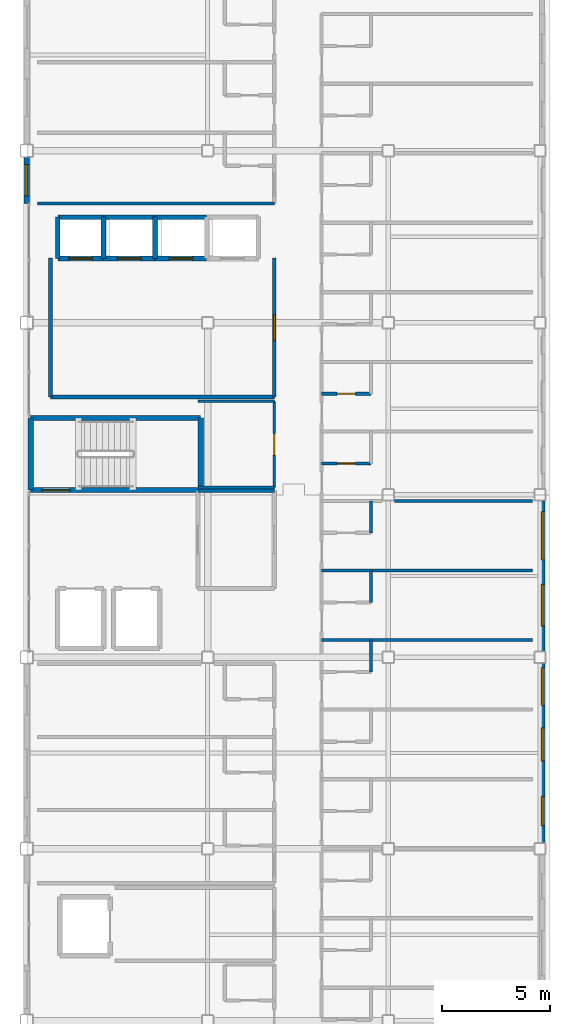
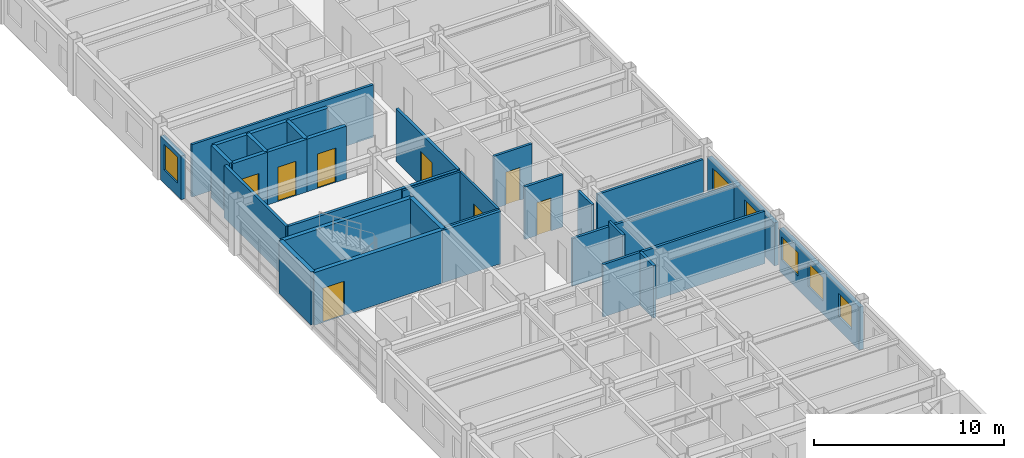
# One storey, part 28 of 36: 32 walls, 8 doors, 6 windows, 14 openings.
"""IFC4 building model written with IfcOpenShell, lengths in metres."""

from ifc_helpers import new_model, si_unit, direction, frame, frame_2d, origin, place, context, subcontext, project, spatial, rectangle, extrude, material, layer, layer_set, type_object, element, fill, save


model = new_model("IFC4")

# Units and contexts
model_context = context("Model", 3, precision=1e-05, world=origin(), true_north=direction((0.0, 1.0)))
body_context = subcontext(model_context, "Body", "Model", "MODEL_VIEW")
ifc_project = project(units=[si_unit("LENGTHUNIT", "METRE"), si_unit("AREAUNIT", "SQUARE_METRE"), si_unit("VOLUMEUNIT", "CUBIC_METRE"), si_unit("PLANEANGLEUNIT", "RADIAN"), si_unit("MASSUNIT", "GRAM", prefix="KILO")], contexts=[model_context])

# Site, building, storey
site_placement = place(None, origin())
site = spatial("IfcSite", under=ifc_project, at=site_placement, CompositionType="ELEMENT")
building_placement = place(site_placement, origin())
building = spatial("IfcBuilding", under=site, at=building_placement, Name="Kazehara Bluff Congress Hotel", CompositionType="ELEMENT")
storey_placement = place(building_placement, frame((0.0, 0.0, 28.199951171875)))
storey = spatial("IfcBuildingStorey", under=building, at=storey_placement, Name="L06", CompositionType="ELEMENT", Elevation=28.199951171875)

# Walls
ifc_material_1 = material(Name="Concrete C40/50", Category="concrete")
ifc_layer_1 = layer(ifc_material_1, 0.25)
ifc_layer_set_1 = layer_set([ifc_layer_1], Name="Concrete C40/50")
wall_type_1 = type_object("IfcWallType", Name="TP-CW-RC", PredefinedType="SHEAR", material=ifc_layer_set_1)
for number, where, z_axis, x_axis, name in (
    (1, (143.875, 48.675048828125, 0.0), (0.0, 0.0, 1.0), (0.0, 1.0, 0.0), "L06 ST-11 core wall near"),
    (2, (151.77490234375, 52.02490234375, 0.0), (0.0, 0.0, 1.0), (0.0, -1.0, 0.0), "L06 ST-11 core wall far"),
):
    element("IfcWall", number, at=place(storey_placement, frame(where, z_axis=z_axis, x_axis=x_axis)), inside=storey, type_object=wall_type_1, Name=name, PredefinedType="SHEAR", context=body_context, shape_type="SweptSolid", body=[
        extrude(rectangle(XDim=3.349853515625, YDim=0.25, at=frame_2d((1.6748046875, 0.0))), origin(), (0.0, 0.0, 1.0), 3.380126953125),
    ])

# Wall, opening, door
wall_1_placement = place(storey_placement, frame((151.77490234375, 48.675048828125, 0.0), z_axis=(0.0, 0.0, 1.0), x_axis=(-1.0, 0.0, 0.0)))
wall_1 = element("IfcWall", 3, at=wall_1_placement, inside=storey, type_object=wall_type_1, Name="L06 ST-11 core wall left", PredefinedType="SHEAR", context=body_context, shape_type="SweptSolid", body=[
    extrude(rectangle(XDim=7.89990234375, YDim=0.25, at=frame_2d((3.949951171875, 0.0))), origin(), (0.0, 0.0, 1.0), 3.380126953125),
])
opening_1_placement = place(wall_1_placement, frame((6.074951171875, 0.0, 0.0)))
opening_1 = element("IfcOpeningElement", 4, at=opening_1_placement, cuts=wall_1, Name="Opening FD-01", PredefinedType="OPENING", context=body_context, shape_type="SweptSolid", body=[
    extrude(rectangle(XDim=1.300048828125, YDim=2.199951171875, at=frame_2d((0.64990234375, 1.10009765625))), frame((0.0, 0.135009765625, 0.0), z_axis=(0.0, -1.0, 0.0), x_axis=(1.0, 0.0, 0.0)), (0.0, 0.0, 1.0), 0.27001953125),
])
ifc_material_2 = material(Name="Fire-rated painted steel leaf", Category="steel")
door_type_1 = type_object("IfcDoorType", Name="TP-FD-01", OperationType="NOTDEFINED", PredefinedType="DOOR", material=ifc_material_2)
door_1_placement = place(opening_1_placement, origin())
door_1 = element("IfcDoor", 5, at=door_1_placement, inside=storey, type_object=door_type_1, Name="L06 ST-11 fire stair door", OperationType="SINGLE_SWING_LEFT", OverallHeight=2.199951171875, OverallWidth=1.300048828125, PredefinedType="DOOR", context=body_context, shape_type="SweptSolid", body=[
    extrude(rectangle(XDim=1.300048828125, YDim=2.199951171875, at=frame_2d((0.64990234375, 1.10009765625))), frame((0.0, 0.02490234375, 0.0), z_axis=(0.0, -1.0, 0.0), x_axis=(1.0, 0.0, 0.0)), (0.0, 0.0, 1.0), 0.050048828125),
])
fill(opening_1, door_1)

# Wall
wall_2_placement = place(storey_placement, frame((143.875, 52.02490234375, 0.0), z_axis=(0.0, 0.0, 1.0), x_axis=(1.0, 0.0, 0.0)))
element("IfcWall", 6, at=wall_2_placement, inside=storey, type_object=wall_type_1, Name="L06 ST-11 core wall right", PredefinedType="SHEAR", context=body_context, shape_type="SweptSolid", body=[
    extrude(rectangle(XDim=7.89990234375, YDim=0.25, at=frame_2d((3.949951171875, 0.0))), origin(), (0.0, 0.0, 1.0), 3.380126953125),
])

# Wall, openings, windows
ifc_material_3 = material(Name="Precast concrete C40/50", Category="concrete")
ifc_layer_2 = layer(ifc_material_3, 0.260009765625)
ifc_layer_set_2 = layer_set([ifc_layer_2], Name="Precast concrete C40/50")
wall_type_2 = type_object("IfcWallType", Name="TP-EW-260", PredefinedType="SOLIDWALL", material=ifc_layer_set_2)
wall_3_placement = place(storey_placement, frame((167.64990234375, 40.625, 0.0), z_axis=(0.0, 0.0, 1.0), x_axis=(0.0, -1.0, 0.0)))
wall_3 = element("IfcWall", 7, at=wall_3_placement, inside=storey, type_object=wall_type_2, Name="L06 hotel facade panel 70", PredefinedType="SOLIDWALL", context=body_context, shape_type="SweptSolid", body=[
    extrude(rectangle(XDim=8.35009765625, YDim=0.260009765625, at=frame_2d((4.175048828125, 0.0))), origin(), (0.0, 0.0, 1.0), 2.755126953125),
])
opening_2_placement = place(wall_3_placement, frame((6.195068359375, 0.0, 0.85009765625)))
opening_2 = element("IfcOpeningElement", 8, at=opening_2_placement, cuts=wall_3, Name="Opening WN-12", PredefinedType="OPENING", context=body_context, shape_type="SweptSolid", body=[
    extrude(rectangle(XDim=1.35009765625, YDim=1.5, at=frame_2d((0.675048828125, 0.75))), frame((0.0, 0.139892578125, 0.0), z_axis=(0.0, -1.0, 0.0), x_axis=(1.0, 0.0, 0.0)), (0.0, 0.0, 1.0), 0.280029296875),
])
opening_3_placement = place(wall_3_placement, frame((3.0, 0.0, 0.85009765625)))
opening_3 = element("IfcOpeningElement", 9, at=opening_3_placement, cuts=wall_3, Name="Opening WN-22", PredefinedType="OPENING", context=body_context, shape_type="SweptSolid", body=[
    extrude(rectangle(XDim=1.550048828125, YDim=1.5, at=frame_2d((0.77490234375, 0.75))), frame((0.0, 0.139892578125, 0.0), z_axis=(0.0, -1.0, 0.0), x_axis=(1.0, 0.0, 0.0)), (0.0, 0.0, 1.0), 0.280029296875),
])
opening_4_placement = place(wall_3_placement, frame((0.205078125, 0.0, 0.85009765625)))
opening_4 = element("IfcOpeningElement", 10, at=opening_4_placement, cuts=wall_3, Name="Opening WN-32", PredefinedType="OPENING", context=body_context, shape_type="SweptSolid", body=[
    extrude(rectangle(XDim=1.75, YDim=1.5, at=frame_2d((0.875, 0.75))), frame((0.0, 0.139892578125, 0.0), z_axis=(0.0, -1.0, 0.0), x_axis=(1.0, 0.0, 0.0)), (0.0, 0.0, 1.0), 0.280029296875),
])
ifc_material_4 = material(Name="Insulated low-E double glazing", Category="glass")
window_type_1 = type_object("IfcWindowType", Name="TP-WN-12", PartitioningType="SINGLE_PANEL", PredefinedType="WINDOW", material=ifc_material_4)
window_1_placement = place(opening_2_placement, origin())
window_1 = element("IfcWindow", 11, at=window_1_placement, inside=storey, type_object=window_type_1, Name="L06 guestroom window WN-12 127", OverallHeight=1.5, OverallWidth=1.35009765625, PartitioningType="SINGLE_PANEL", PredefinedType="WINDOW", context=body_context, shape_type="SweptSolid", body=[
    extrude(rectangle(XDim=1.35009765625, YDim=1.5, at=frame_2d((0.675048828125, 0.75))), frame((0.0, 0.030029296875, 0.0), z_axis=(0.0, -1.0, 0.0), x_axis=(1.0, 0.0, 0.0)), (0.0, 0.0, 1.0), 0.06005859375),
])
fill(opening_2, window_1)
ifc_material_5 = material(Name="Insulated low-E double glazing", Category="glass")
window_type_2 = type_object("IfcWindowType", Name="TP-WN-22", PartitioningType="SINGLE_PANEL", PredefinedType="WINDOW", material=ifc_material_5)
window_2_placement = place(opening_3_placement, origin())
window_2 = element("IfcWindow", 12, at=window_2_placement, inside=storey, type_object=window_type_2, Name="L06 guestroom window WN-22 128", OverallHeight=1.5, OverallWidth=1.550048828125, PartitioningType="SINGLE_PANEL", PredefinedType="WINDOW", context=body_context, shape_type="SweptSolid", body=[
    extrude(rectangle(XDim=1.550048828125, YDim=1.5, at=frame_2d((0.77490234375, 0.75))), frame((0.0, 0.030029296875, 0.0), z_axis=(0.0, -1.0, 0.0), x_axis=(1.0, 0.0, 0.0)), (0.0, 0.0, 1.0), 0.06005859375),
])
fill(opening_3, window_2)
ifc_material_6 = material(Name="Insulated low-E double glazing", Category="glass")
window_type_3 = type_object("IfcWindowType", Name="TP-WN-32", PartitioningType="SINGLE_PANEL", PredefinedType="WINDOW", material=ifc_material_6)
window_3_placement = place(opening_4_placement, origin())
window_3 = element("IfcWindow", 13, at=window_3_placement, inside=storey, type_object=window_type_3, Name="L06 guestroom window WN-32 129", OverallHeight=1.5, OverallWidth=1.75, PartitioningType="SINGLE_PANEL", PredefinedType="WINDOW", context=body_context, shape_type="SweptSolid", body=[
    extrude(rectangle(XDim=1.75, YDim=1.5, at=frame_2d((0.875, 0.75))), frame((0.0, 0.030029296875, 0.0), z_axis=(0.0, -1.0, 0.0), x_axis=(1.0, 0.0, 0.0)), (0.0, 0.0, 1.0), 0.06005859375),
])
fill(opening_4, window_3)

wall_4_placement = place(storey_placement, frame((167.64990234375, 48.175048828125, 0.0), z_axis=(0.0, 0.0, 1.0), x_axis=(0.0, -1.0, 0.0)))
wall_4 = element("IfcWall", 14, at=wall_4_placement, inside=storey, type_object=wall_type_2, Name="L06 hotel facade panel 71", PredefinedType="SOLIDWALL", context=body_context, shape_type="SweptSolid", body=[
    extrude(rectangle(XDim=7.0, YDim=0.260009765625, at=frame_2d((3.5, 0.0))), origin(), (0.0, 0.0, 1.0), 2.755126953125),
])
opening_5_placement = place(wall_4_placement, frame((3.8798828125, 0.0, 0.85009765625)))
opening_5 = element("IfcOpeningElement", 15, at=opening_5_placement, cuts=wall_4, Name="Opening WN-42", PredefinedType="OPENING", context=body_context, shape_type="SweptSolid", body=[
    extrude(rectangle(XDim=1.949951171875, YDim=1.5, at=frame_2d((0.97509765625, 0.75))), frame((0.0, 0.139892578125, 0.0), z_axis=(0.0, -1.0, 0.0), x_axis=(1.0, 0.0, 0.0)), (0.0, 0.0, 1.0), 0.280029296875),
])
opening_6_placement = place(wall_4_placement, frame((0.5, 0.0, 0.85009765625)))
opening_6 = element("IfcOpeningElement", 16, at=opening_6_placement, cuts=wall_4, Name="Opening WN-52", PredefinedType="OPENING", context=body_context, shape_type="SweptSolid", body=[
    extrude(rectangle(XDim=2.25, YDim=1.5, at=frame_2d((1.125, 0.75))), frame((0.0, 0.139892578125, 0.0), z_axis=(0.0, -1.0, 0.0), x_axis=(1.0, 0.0, 0.0)), (0.0, 0.0, 1.0), 0.280029296875),
])
ifc_material_7 = material(Name="Insulated low-E double glazing", Category="glass")
window_type_4 = type_object("IfcWindowType", Name="TP-WN-42", PartitioningType="DOUBLE_PANEL_VERTICAL", PredefinedType="WINDOW", material=ifc_material_7)
window_4_placement = place(opening_5_placement, origin())
window_4 = element("IfcWindow", 17, at=window_4_placement, inside=storey, type_object=window_type_4, Name="L06 guestroom window WN-42 130", OverallHeight=1.5, OverallWidth=1.949951171875, PartitioningType="SINGLE_PANEL", PredefinedType="WINDOW", context=body_context, shape_type="SweptSolid", body=[
    extrude(rectangle(XDim=1.949951171875, YDim=1.5, at=frame_2d((0.97509765625, 0.75))), frame((0.0, 0.030029296875, 0.0), z_axis=(0.0, -1.0, 0.0), x_axis=(1.0, 0.0, 0.0)), (0.0, 0.0, 1.0), 0.06005859375),
])
fill(opening_5, window_4)
ifc_material_8 = material(Name="Insulated low-E double glazing", Category="glass")
window_type_5 = type_object("IfcWindowType", Name="TP-WN-52", PartitioningType="DOUBLE_PANEL_VERTICAL", PredefinedType="WINDOW", material=ifc_material_8)
window_5_placement = place(opening_6_placement, origin())
window_5 = element("IfcWindow", 18, at=window_5_placement, inside=storey, type_object=window_type_5, Name="L06 guestroom window WN-52 131", OverallHeight=1.5, OverallWidth=2.25, PartitioningType="SINGLE_PANEL", PredefinedType="WINDOW", context=body_context, shape_type="SweptSolid", body=[
    extrude(rectangle(XDim=2.25, YDim=1.5, at=frame_2d((1.125, 0.75))), frame((0.0, 0.030029296875, 0.0), z_axis=(0.0, -1.0, 0.0), x_axis=(1.0, 0.0, 0.0)), (0.0, 0.0, 1.0), 0.06005859375),
])
fill(opening_6, window_5)

# Wall, opening, window
wall_5_placement = place(storey_placement, frame((143.699951171875, 62.0, 0.0), z_axis=(0.0, 0.0, 1.0), x_axis=(0.0, 1.0, 0.0)))
wall_5 = element("IfcWall", 19, at=wall_5_placement, inside=storey, type_object=wall_type_2, Name="L06 hotel facade panel 84", PredefinedType="SOLIDWALL", context=body_context, shape_type="SweptSolid", body=[
    extrude(rectangle(XDim=2.14990234375, YDim=0.260009765625, at=frame_2d((1.074951171875, 0.0))), origin(), (0.0, 0.0, 1.0), 2.804931640625),
])
opening_7_placement = place(wall_5_placement, frame((0.35009765625, 0.0, 0.85009765625)))
opening_7 = element("IfcOpeningElement", 20, at=opening_7_placement, cuts=wall_5, Name="Opening WN-18", PredefinedType="OPENING", context=body_context, shape_type="SweptSolid", body=[
    extrude(rectangle(XDim=1.449951171875, YDim=1.64990234375, at=frame_2d((0.72509765625, 0.824951171875))), frame((0.0, 0.139892578125, 0.0), z_axis=(0.0, -1.0, 0.0), x_axis=(1.0, 0.0, 0.0)), (0.0, 0.0, 1.0), 0.280029296875),
])
ifc_material_9 = material(Name="Insulated low-E double glazing", Category="glass")
window_type_6 = type_object("IfcWindowType", Name="TP-WN-18", PartitioningType="SINGLE_PANEL", PredefinedType="WINDOW", material=ifc_material_9)
window_6_placement = place(opening_7_placement, origin())
window_6 = element("IfcWindow", 21, at=window_6_placement, inside=storey, type_object=window_type_6, Name="L06 guestroom window WN-18 154", OverallHeight=1.64990234375, OverallWidth=1.449951171875, PartitioningType="SINGLE_PANEL", PredefinedType="WINDOW", context=body_context, shape_type="SweptSolid", body=[
    extrude(rectangle(XDim=1.449951171875, YDim=1.64990234375, at=frame_2d((0.72509765625, 0.824951171875))), frame((0.0, 0.030029296875, 0.0), z_axis=(0.0, -1.0, 0.0), x_axis=(1.0, 0.0, 0.0)), (0.0, 0.0, 1.0), 0.06005859375),
])
fill(opening_7, window_6)

# Walls
ifc_material_10 = material(Name="Concrete C40/50", Category="concrete")
ifc_layer_3 = layer(ifc_material_10, 0.199951171875)
ifc_layer_set_3 = layer_set([ifc_layer_3], Name="Concrete C40/50")
wall_type_3 = type_object("IfcWallType", Name="TP-FW-RC", PredefinedType="SOLIDWALL", material=ifc_layer_set_3)
wall_6_placement = place(storey_placement, frame((151.64990234375, 48.64990234375, 0.0), z_axis=(0.0, 0.0, 1.0), x_axis=(1.0, 0.0, 0.0)))
element("IfcWall", 22, at=wall_6_placement, inside=storey, type_object=wall_type_3, Name="L06 partition FW-RC 737", PredefinedType="SOLIDWALL", context=body_context, shape_type="SweptSolid", body=[
    extrude(rectangle(XDim=3.550048828125, YDim=0.199951171875, at=frame_2d((1.77490234375, 0.0))), origin(), (0.0, 0.0, 1.0), 3.364990234375),
])
ifc_material_11 = material(Name="Fire-rated gypsum board stud partition")
ifc_layer_4 = layer(ifc_material_11, 0.1298828125)
ifc_layer_set_4 = layer_set([ifc_layer_4], Name="Fire-rated gypsum board stud partition")
wall_type_4 = type_object("IfcWallType", Name="TP-PT-130", PredefinedType="PARTITIONING", material=ifc_layer_set_4)
for number, where, z_axis, x_axis, name in (
    (23, (151.64990234375, 48.800048828125, 0.0), (0.0, 0.0, 1.0), (1.0, 0.0, 0.0), "L06 partition PT-130 738"),
    (24, (151.64990234375, 52.800048828125, 0.0), (0.0, 0.0, 1.0), (1.0, 0.0, 0.0), "L06 partition PT-130 741"),
):
    element("IfcWall", number, at=place(storey_placement, frame(where, z_axis=z_axis, x_axis=x_axis)), inside=storey, type_object=wall_type_4, Name=name, PredefinedType="PARTITIONING", context=body_context, shape_type="SweptSolid", body=[
        extrude(rectangle(XDim=3.550048828125, YDim=0.1298828125, at=frame_2d((1.77490234375, 0.0))), origin(), (0.0, 0.0, 1.0), 3.364990234375),
    ])

# Wall, opening, door
wall_7_placement = place(storey_placement, frame((155.199951171875, 48.800048828125, 0.0), z_axis=(0.0, 0.0, 1.0), x_axis=(0.0, 1.0, 0.0)))
wall_7 = element("IfcWall", 25, at=wall_7_placement, inside=storey, type_object=wall_type_4, Name="L06 partition PT-130 825", PredefinedType="PARTITIONING", context=body_context, shape_type="SweptSolid", body=[
    extrude(rectangle(XDim=4.0, YDim=0.1298828125, at=frame_2d((2.0, 0.0))), origin(), (0.0, 0.0, 1.0), 3.364990234375),
])
opening_8_placement = place(wall_7_placement, frame((1.5, 0.0, 0.0)))
opening_8 = element("IfcOpeningElement", 26, at=opening_8_placement, cuts=wall_7, Name="Opening ID-03", PredefinedType="OPENING", context=body_context, shape_type="SweptSolid", body=[
    extrude(rectangle(XDim=1.0, YDim=2.179931640625, at=frame_2d((0.5, 1.08984375))), frame((0.0, 0.074951171875, 0.0), z_axis=(0.0, -1.0, 0.0), x_axis=(1.0, 0.0, 0.0)), (0.0, 0.0, 1.0), 0.14990234375),
])
ifc_material_12 = material(Name="Architectural oak veneer leaf")
door_type_2 = type_object("IfcDoorType", Name="TP-ID-03", OperationType="NOTDEFINED", PredefinedType="DOOR", material=ifc_material_12)
door_2_placement = place(opening_8_placement, origin())
door_2 = element("IfcDoor", 27, at=door_2_placement, inside=storey, type_object=door_type_2, Name="L06 L06 Housekeeping and Linen Room door", OperationType="SINGLE_SWING_LEFT", OverallHeight=2.179931640625, OverallWidth=1.0, PredefinedType="DOOR", context=body_context, shape_type="SweptSolid", body=[
    extrude(rectangle(XDim=1.0, YDim=2.179931640625, at=frame_2d((0.5, 1.08984375))), frame((0.0, 0.02490234375, 0.0), z_axis=(0.0, -1.0, 0.0), x_axis=(1.0, 0.0, 0.0)), (0.0, 0.0, 1.0), 0.050048828125),
])
fill(opening_8, door_2)

# Walls
ifc_material_13 = material(Name="Fire-rated gypsum board stud partition")
ifc_layer_5 = layer(ifc_material_13, 0.14990234375)
ifc_layer_set_5 = layer_set([ifc_layer_5], Name="Fire-rated gypsum board stud partition")
wall_type_5 = type_object("IfcWallType", Name="TP-PT-150", PredefinedType="PARTITIONING", material=ifc_layer_set_5)
wall_8_placement = place(storey_placement, frame((157.39990234375, 41.699951171875, 0.0), z_axis=(0.0, 0.0, 1.0), x_axis=(1.0, 0.0, 0.0)))
element("IfcWall", 28, at=wall_8_placement, inside=storey, type_object=wall_type_5, Name="L06 partition PT-150 730", PredefinedType="PARTITIONING", context=body_context, shape_type="SweptSolid", body=[
    extrude(rectangle(XDim=9.800048828125, YDim=0.14990234375, at=frame_2d((4.89990234375, 0.0))), origin(), (0.0, 0.0, 1.0), 3.364990234375),
])
wall_9_placement = place(storey_placement, frame((157.39990234375, 44.93994140625, 0.0), z_axis=(0.0, 0.0, 1.0), x_axis=(1.0, 0.0, 0.0)))
element("IfcWall", 29, at=wall_9_placement, inside=storey, type_object=wall_type_5, Name="L06 partition PT-150 733", PredefinedType="PARTITIONING", context=body_context, shape_type="SweptSolid", body=[
    extrude(rectangle(XDim=9.800048828125, YDim=0.14990234375, at=frame_2d((4.89990234375, 0.0))), origin(), (0.0, 0.0, 1.0), 3.054931640625),
])
wall_10_placement = place(storey_placement, frame((160.794921875, 48.159912109375, 0.0), z_axis=(0.0, 0.0, 1.0), x_axis=(1.0, 0.0, 0.0)))
element("IfcWall", 30, at=wall_10_placement, inside=storey, type_object=wall_type_5, Name="L06 partition PT-150 736", PredefinedType="PARTITIONING", context=body_context, shape_type="SweptSolid", body=[
    extrude(rectangle(XDim=6.405029296875, YDim=0.14990234375, at=frame_2d((3.20263671875, 0.0))), origin(), (0.0, 0.0, 1.0), 2.755126953125),
])

# Wall, opening, door
wall_11_placement = place(storey_placement, frame((157.39990234375, 49.909912109375, 0.0), z_axis=(0.0, 0.0, 1.0), x_axis=(1.0, 0.0, 0.0)))
wall_11 = element("IfcWall", 31, at=wall_11_placement, inside=storey, type_object=wall_type_5, Name="L06 partition PT-150 739", PredefinedType="PARTITIONING", context=body_context, shape_type="SweptSolid", body=[
    extrude(rectangle(XDim=2.300048828125, YDim=0.14990234375, at=frame_2d((1.14990234375, 0.0))), origin(), (0.0, 0.0, 1.0), 3.364990234375),
])
opening_9_placement = place(wall_11_placement, frame((0.72509765625, 0.0, 0.0)))
opening_9 = element("IfcOpeningElement", 32, at=opening_9_placement, cuts=wall_11, Name="Opening BD-01", PredefinedType="OPENING", context=body_context, shape_type="SweptSolid", body=[
    extrude(rectangle(XDim=0.85009765625, YDim=2.10009765625, at=frame_2d((0.425048828125, 1.050048828125))), frame((0.0, 0.0849609375, 0.0), z_axis=(0.0, -1.0, 0.0), x_axis=(1.0, 0.0, 0.0)), (0.0, 0.0, 1.0), 0.169921875),
])
ifc_material_14 = material(Name="Architectural oak veneer leaf")
door_type_3 = type_object("IfcDoorType", Name="TP-BD-01", OperationType="NOTDEFINED", PredefinedType="DOOR", material=ifc_material_14)
door_3_placement = place(opening_9_placement, origin())
door_3 = element("IfcDoor", 33, at=door_3_placement, inside=storey, type_object=door_type_3, Name="L06 En-suite Bathroom 152 door", OperationType="SINGLE_SWING_LEFT", OverallHeight=2.10009765625, OverallWidth=0.85009765625, PredefinedType="DOOR", context=body_context, shape_type="SweptSolid", body=[
    extrude(rectangle(XDim=0.85009765625, YDim=2.10009765625, at=frame_2d((0.425048828125, 1.050048828125))), frame((0.0, 0.02490234375, 0.0), z_axis=(0.0, -1.0, 0.0), x_axis=(1.0, 0.0, 0.0)), (0.0, 0.0, 1.0), 0.050048828125),
])
fill(opening_9, door_3)

wall_12_placement = place(storey_placement, frame((157.39990234375, 53.14990234375, 0.0), z_axis=(0.0, 0.0, 1.0), x_axis=(1.0, 0.0, 0.0)))
wall_12 = element("IfcWall", 34, at=wall_12_placement, inside=storey, type_object=wall_type_5, Name="L06 partition PT-150 743", PredefinedType="PARTITIONING", context=body_context, shape_type="SweptSolid", body=[
    extrude(rectangle(XDim=2.300048828125, YDim=0.14990234375, at=frame_2d((1.14990234375, 0.0))), origin(), (0.0, 0.0, 1.0), 3.364990234375),
])
opening_10_placement = place(wall_12_placement, frame((0.72509765625, 0.0, 0.0)))
opening_10 = element("IfcOpeningElement", 35, at=opening_10_placement, cuts=wall_12, Name="Opening BD-01", PredefinedType="OPENING", context=body_context, shape_type="SweptSolid", body=[
    extrude(rectangle(XDim=0.85009765625, YDim=2.10009765625, at=frame_2d((0.425048828125, 1.050048828125))), frame((0.0, 0.0849609375, 0.0), z_axis=(0.0, -1.0, 0.0), x_axis=(1.0, 0.0, 0.0)), (0.0, 0.0, 1.0), 0.169921875),
])
door_4_placement = place(opening_10_placement, origin())
door_4 = element("IfcDoor", 36, at=door_4_placement, inside=storey, type_object=door_type_3, Name="L06 En-suite Bathroom 153 door", OperationType="SINGLE_SWING_LEFT", OverallHeight=2.10009765625, OverallWidth=0.85009765625, PredefinedType="DOOR", context=body_context, shape_type="SweptSolid", body=[
    extrude(rectangle(XDim=0.85009765625, YDim=2.10009765625, at=frame_2d((0.425048828125, 1.050048828125))), frame((0.0, 0.02490234375, 0.0), z_axis=(0.0, -1.0, 0.0), x_axis=(1.0, 0.0, 0.0)), (0.0, 0.0, 1.0), 0.050048828125),
])
fill(opening_10, door_4)

# Walls
wall_13_placement = place(storey_placement, frame((144.199951171875, 62.0, 0.0), z_axis=(0.0, 0.0, 1.0), x_axis=(1.0, 0.0, 0.0)))
element("IfcWall", 37, at=wall_13_placement, inside=storey, type_object=wall_type_5, Name="L06 partition PT-150 749", PredefinedType="PARTITIONING", context=body_context, shape_type="SweptSolid", body=[
    extrude(rectangle(XDim=11.0, YDim=0.14990234375, at=frame_2d((5.5, 0.0))), origin(), (0.0, 0.0, 1.0), 3.364990234375),
])
wall_14_placement = place(storey_placement, frame((159.699951171875, 40.215087890625, 0.0), z_axis=(0.0, 0.0, 1.0), x_axis=(0.0, 1.0, 0.0)))
element("IfcWall", 38, at=wall_14_placement, inside=storey, type_object=wall_type_5, Name="L06 partition PT-150 841", PredefinedType="PARTITIONING", context=body_context, shape_type="SweptSolid", body=[
    extrude(rectangle(XDim=1.48486328125, YDim=0.14990234375, at=frame_2d((0.742431640625, 0.0))), origin(), (0.0, 0.0, 1.0), 3.364990234375),
])
wall_15_placement = place(storey_placement, frame((159.699951171875, 43.449951171875, 0.0), z_axis=(0.0, 0.0, 1.0), x_axis=(0.0, 1.0, 0.0)))
element("IfcWall", 39, at=wall_15_placement, inside=storey, type_object=wall_type_5, Name="L06 partition PT-150 842", PredefinedType="PARTITIONING", context=body_context, shape_type="SweptSolid", body=[
    extrude(rectangle(XDim=1.485107421875, YDim=0.14990234375, at=frame_2d((0.74267578125, 0.0))), origin(), (0.0, 0.0, 1.0), 3.364990234375),
])
wall_16_placement = place(storey_placement, frame((159.699951171875, 46.68505859375, 0.0), z_axis=(0.0, 0.0, 1.0), x_axis=(0.0, 1.0, 0.0)))
element("IfcWall", 40, at=wall_16_placement, inside=storey, type_object=wall_type_5, Name="L06 partition PT-150 843", PredefinedType="PARTITIONING", context=body_context, shape_type="SweptSolid", body=[
    extrude(rectangle(XDim=1.47998046875, YDim=0.14990234375, at=frame_2d((0.739990234375, 0.0))), origin(), (0.0, 0.0, 1.0), 3.364990234375),
])
ifc_material_15 = material(Name="Fire-rated gypsum board stud partition")
ifc_layer_6 = layer(ifc_material_15, 0.169921875)
ifc_layer_set_6 = layer_set([ifc_layer_6], Name="Fire-rated gypsum board stud partition")
wall_type_6 = type_object("IfcWallType", Name="TP-PT-180", PredefinedType="PARTITIONING", material=ifc_layer_set_6)
wall_17_placement = place(storey_placement, frame((144.800048828125, 53.0, 0.0), z_axis=(0.0, 0.0, 1.0), x_axis=(1.0, 0.0, 0.0)))
element("IfcWall", 41, at=wall_17_placement, inside=storey, type_object=wall_type_6, Name="L06 partition PT-180 742", PredefinedType="PARTITIONING", context=body_context, shape_type="SweptSolid", body=[
    extrude(rectangle(XDim=10.39990234375, YDim=0.169921875, at=frame_2d((5.199951171875, 0.0))), origin(), (0.0, 0.0, 1.0), 3.364990234375),
])
wall_18_placement = place(storey_placement, frame((144.800048828125, 53.0, 0.0), z_axis=(0.0, 0.0, 1.0), x_axis=(0.0, 1.0, 0.0)))
element("IfcWall", 42, at=wall_18_placement, inside=storey, type_object=wall_type_6, Name="L06 partition PT-180 799", PredefinedType="PARTITIONING", context=body_context, shape_type="SweptSolid", body=[
    extrude(rectangle(XDim=6.449951171875, YDim=0.169921875, at=frame_2d((3.22509765625, 0.0))), origin(), (0.0, 0.0, 1.0), 3.364990234375),
])

# Wall, opening, door
wall_19_placement = place(storey_placement, frame((155.199951171875, 53.0, 0.0), z_axis=(0.0, 0.0, 1.0), x_axis=(0.0, 1.0, 0.0)))
wall_19 = element("IfcWall", 43, at=wall_19_placement, inside=storey, type_object=wall_type_6, Name="L06 partition PT-180 826", PredefinedType="PARTITIONING", context=body_context, shape_type="SweptSolid", body=[
    extrude(rectangle(XDim=6.449951171875, YDim=0.169921875, at=frame_2d((3.22509765625, 0.0))), origin(), (0.0, 0.0, 1.0), 3.364990234375),
])
opening_11_placement = place(wall_19_placement, frame((2.625, 0.0, 0.0)))
opening_11 = element("IfcOpeningElement", 44, at=opening_11_placement, cuts=wall_19, Name="Opening FD-02", PredefinedType="OPENING", context=body_context, shape_type="SweptSolid", body=[
    extrude(rectangle(XDim=1.199951171875, YDim=2.199951171875, at=frame_2d((0.60009765625, 1.10009765625))), frame((0.0, 0.094970703125, 0.0), z_axis=(0.0, -1.0, 0.0), x_axis=(1.0, 0.0, 0.0)), (0.0, 0.0, 1.0), 0.18994140625),
])
ifc_material_16 = material(Name="Fire-rated painted steel leaf", Category="steel")
door_type_4 = type_object("IfcDoorType", Name="TP-FD-02", OperationType="NOTDEFINED", PredefinedType="DOOR", material=ifc_material_16)
door_5_placement = place(opening_11_placement, origin())
door_5 = element("IfcDoor", 45, at=door_5_placement, inside=storey, type_object=door_type_4, Name="L06 Hotel Passenger Lift Lobby door", OperationType="SINGLE_SWING_LEFT", OverallHeight=2.199951171875, OverallWidth=1.199951171875, PredefinedType="DOOR", context=body_context, shape_type="SweptSolid", body=[
    extrude(rectangle(XDim=1.199951171875, YDim=2.199951171875, at=frame_2d((0.60009765625, 1.10009765625))), frame((0.0, 0.02490234375, 0.0), z_axis=(0.0, -1.0, 0.0), x_axis=(1.0, 0.0, 0.0)), (0.0, 0.0, 1.0), 0.050048828125),
])
fill(opening_11, door_5)

# Wall
ifc_material_17 = material(Name="Concrete C40/50", Category="concrete")
ifc_layer_7 = layer(ifc_material_17, 0.219970703125)
ifc_layer_set_7 = layer_set([ifc_layer_7], Name="Concrete C40/50")
wall_type_7 = type_object("IfcWallType", Name="TP-SW-RC", PredefinedType="SHEAR", material=ifc_layer_set_7)
wall_20_placement = place(storey_placement, frame((145.139892578125, 61.360107421875, 0.0), z_axis=(0.0, 0.0, 1.0), x_axis=(1.0, 0.0, 0.0)))
element("IfcWall", 46, at=wall_20_placement, inside=storey, type_object=wall_type_7, Name="L06 EL-P1 lift shaft wall +Y", PredefinedType="SHEAR", context=body_context, shape_type="SweptSolid", body=[
    extrude(rectangle(XDim=2.1201171875, YDim=0.219970703125, at=frame_2d((1.06005859375, 0.0))), origin(), (0.0, 0.0, 1.0), 3.380126953125),
])

# Wall, opening, door
wall_21_placement = place(storey_placement, frame((145.139892578125, 59.43994140625, 0.0), z_axis=(0.0, 0.0, 1.0), x_axis=(1.0, 0.0, 0.0)))
wall_21 = element("IfcWall", 47, at=wall_21_placement, inside=storey, type_object=wall_type_7, Name="L06 EL-P1 lift shaft wall -Y", PredefinedType="SHEAR", context=body_context, shape_type="SweptSolid", body=[
    extrude(rectangle(XDim=2.1201171875, YDim=0.219970703125, at=frame_2d((1.06005859375, 0.0))), origin(), (0.0, 0.0, 1.0), 3.380126953125),
])
opening_12_placement = place(wall_21_placement, frame((0.510009765625, 0.0, 0.0)))
opening_12 = element("IfcOpeningElement", 48, at=opening_12_placement, cuts=wall_21, Name="Opening LD-01", PredefinedType="OPENING", context=body_context, shape_type="SweptSolid", body=[
    extrude(rectangle(XDim=1.10009765625, YDim=2.199951171875, at=frame_2d((0.550048828125, 1.10009765625))), frame((0.0, 0.119873046875, 0.0), z_axis=(0.0, -1.0, 0.0), x_axis=(1.0, 0.0, 0.0)), (0.0, 0.0, 1.0), 0.239990234375),
])
ifc_material_18 = material(Name="Fire-rated painted steel leaf", Category="steel")
door_type_5 = type_object("IfcDoorType", Name="TP-LD-01", OperationType="SLIDING_TO_LEFT", PredefinedType="DOOR", material=ifc_material_18)
door_6_placement = place(opening_12_placement, origin())
door_6 = element("IfcDoor", 49, at=door_6_placement, inside=storey, type_object=door_type_5, Name="L06 EL-P1 elevator landing door", OperationType="SLIDING_TO_LEFT", OverallHeight=2.199951171875, OverallWidth=1.10009765625, PredefinedType="DOOR", context=body_context, shape_type="SweptSolid", body=[
    extrude(rectangle(XDim=1.10009765625, YDim=2.199951171875, at=frame_2d((0.550048828125, 1.10009765625))), frame((0.0, 0.02490234375, 0.0), z_axis=(0.0, -1.0, 0.0), x_axis=(1.0, 0.0, 0.0)), (0.0, 0.0, 1.0), 0.050048828125),
])
fill(opening_12, door_6)

# Walls
for number, where, z_axis, x_axis, name in (
    (50, (147.260009765625, 59.43994140625, 0.0), (0.0, 0.0, 1.0), (0.0, 1.0, 0.0), "L06 EL-P1 lift shaft wall +X"),
    (51, (145.139892578125, 59.43994140625, 0.0), (0.0, 0.0, 1.0), (0.0, 1.0, 0.0), "L06 EL-P1 lift shaft wall -X"),
):
    element("IfcWall", number, at=place(storey_placement, frame(where, z_axis=z_axis, x_axis=x_axis)), inside=storey, type_object=wall_type_7, Name=name, PredefinedType="SHEAR", context=body_context, shape_type="SweptSolid", body=[
        extrude(rectangle(XDim=1.920166015625, YDim=0.219970703125, at=frame_2d((0.9599609375, 0.0))), origin(), (0.0, 0.0, 1.0), 3.380126953125),
    ])
wall_22_placement = place(storey_placement, frame((147.260009765625, 61.360107421875, 0.0), z_axis=(0.0, 0.0, 1.0), x_axis=(1.0, 0.0, 0.0)))
element("IfcWall", 52, at=wall_22_placement, inside=storey, type_object=wall_type_7, Name="L06 EL-P2 lift shaft wall +Y", PredefinedType="SHEAR", context=body_context, shape_type="SweptSolid", body=[
    extrude(rectangle(XDim=2.39990234375, YDim=0.219970703125, at=frame_2d((1.199951171875, 0.0))), origin(), (0.0, 0.0, 1.0), 3.380126953125),
])

# Wall, opening, door
wall_23_placement = place(storey_placement, frame((147.260009765625, 59.43994140625, 0.0), z_axis=(0.0, 0.0, 1.0), x_axis=(1.0, 0.0, 0.0)))
wall_23 = element("IfcWall", 53, at=wall_23_placement, inside=storey, type_object=wall_type_7, Name="L06 EL-P2 lift shaft wall -Y", PredefinedType="SHEAR", context=body_context, shape_type="SweptSolid", body=[
    extrude(rectangle(XDim=2.39990234375, YDim=0.219970703125, at=frame_2d((1.199951171875, 0.0))), origin(), (0.0, 0.0, 1.0), 3.380126953125),
])
opening_13_placement = place(wall_23_placement, frame((0.64990234375, 0.0, 0.0)))
opening_13 = element("IfcOpeningElement", 54, at=opening_13_placement, cuts=wall_23, Name="Opening LD-01", PredefinedType="OPENING", context=body_context, shape_type="SweptSolid", body=[
    extrude(rectangle(XDim=1.10009765625, YDim=2.199951171875, at=frame_2d((0.550048828125, 1.10009765625))), frame((0.0, 0.119873046875, 0.0), z_axis=(0.0, -1.0, 0.0), x_axis=(1.0, 0.0, 0.0)), (0.0, 0.0, 1.0), 0.239990234375),
])
door_7_placement = place(opening_13_placement, origin())
door_7 = element("IfcDoor", 55, at=door_7_placement, inside=storey, type_object=door_type_5, Name="L06 EL-P2 elevator landing door", OperationType="SLIDING_TO_LEFT", OverallHeight=2.199951171875, OverallWidth=1.10009765625, PredefinedType="DOOR", context=body_context, shape_type="SweptSolid", body=[
    extrude(rectangle(XDim=1.10009765625, YDim=2.199951171875, at=frame_2d((0.550048828125, 1.10009765625))), frame((0.0, 0.02490234375, 0.0), z_axis=(0.0, -1.0, 0.0), x_axis=(1.0, 0.0, 0.0)), (0.0, 0.0, 1.0), 0.050048828125),
])
fill(opening_13, door_7)

# Walls
wall_24_placement = place(storey_placement, frame((149.659912109375, 59.43994140625, 0.0), z_axis=(0.0, 0.0, 1.0), x_axis=(0.0, 1.0, 0.0)))
element("IfcWall", 56, at=wall_24_placement, inside=storey, type_object=wall_type_7, Name="L06 EL-P2 lift shaft wall +X", PredefinedType="SHEAR", context=body_context, shape_type="SweptSolid", body=[
    extrude(rectangle(XDim=1.920166015625, YDim=0.219970703125, at=frame_2d((0.9599609375, 0.0))), origin(), (0.0, 0.0, 1.0), 3.380126953125),
])
wall_25_placement = place(storey_placement, frame((149.659912109375, 61.360107421875, 0.0), z_axis=(0.0, 0.0, 1.0), x_axis=(1.0, 0.0, 0.0)))
element("IfcWall", 57, at=wall_25_placement, inside=storey, type_object=wall_type_7, Name="L06 EL-P3 lift shaft wall +Y", PredefinedType="SHEAR", context=body_context, shape_type="SweptSolid", body=[
    extrude(rectangle(XDim=2.400146484375, YDim=0.219970703125, at=frame_2d((1.2001953125, 0.0))), origin(), (0.0, 0.0, 1.0), 3.380126953125),
])

# Wall, opening, door
wall_26_placement = place(storey_placement, frame((149.659912109375, 59.43994140625, 0.0), z_axis=(0.0, 0.0, 1.0), x_axis=(1.0, 0.0, 0.0)))
wall_26 = element("IfcWall", 58, at=wall_26_placement, inside=storey, type_object=wall_type_7, Name="L06 EL-P3 lift shaft wall -Y", PredefinedType="SHEAR", context=body_context, shape_type="SweptSolid", body=[
    extrude(rectangle(XDim=2.400146484375, YDim=0.219970703125, at=frame_2d((1.2001953125, 0.0))), origin(), (0.0, 0.0, 1.0), 3.380126953125),
])
opening_14_placement = place(wall_26_placement, frame((0.64990234375, 0.0, 0.0)))
opening_14 = element("IfcOpeningElement", 59, at=opening_14_placement, cuts=wall_26, Name="Opening LD-01", PredefinedType="OPENING", context=body_context, shape_type="SweptSolid", body=[
    extrude(rectangle(XDim=1.10009765625, YDim=2.199951171875, at=frame_2d((0.550048828125, 1.10009765625))), frame((0.0, 0.119873046875, 0.0), z_axis=(0.0, -1.0, 0.0), x_axis=(1.0, 0.0, 0.0)), (0.0, 0.0, 1.0), 0.239990234375),
])
door_8_placement = place(opening_14_placement, origin())
door_8 = element("IfcDoor", 60, at=door_8_placement, inside=storey, type_object=door_type_5, Name="L06 EL-P3 elevator landing door", OperationType="SLIDING_TO_LEFT", OverallHeight=2.199951171875, OverallWidth=1.10009765625, PredefinedType="DOOR", context=body_context, shape_type="SweptSolid", body=[
    extrude(rectangle(XDim=1.10009765625, YDim=2.199951171875, at=frame_2d((0.550048828125, 1.10009765625))), frame((0.0, 0.02490234375, 0.0), z_axis=(0.0, -1.0, 0.0), x_axis=(1.0, 0.0, 0.0)), (0.0, 0.0, 1.0), 0.050048828125),
])
fill(opening_14, door_8)

save(model, "model.ifc")
